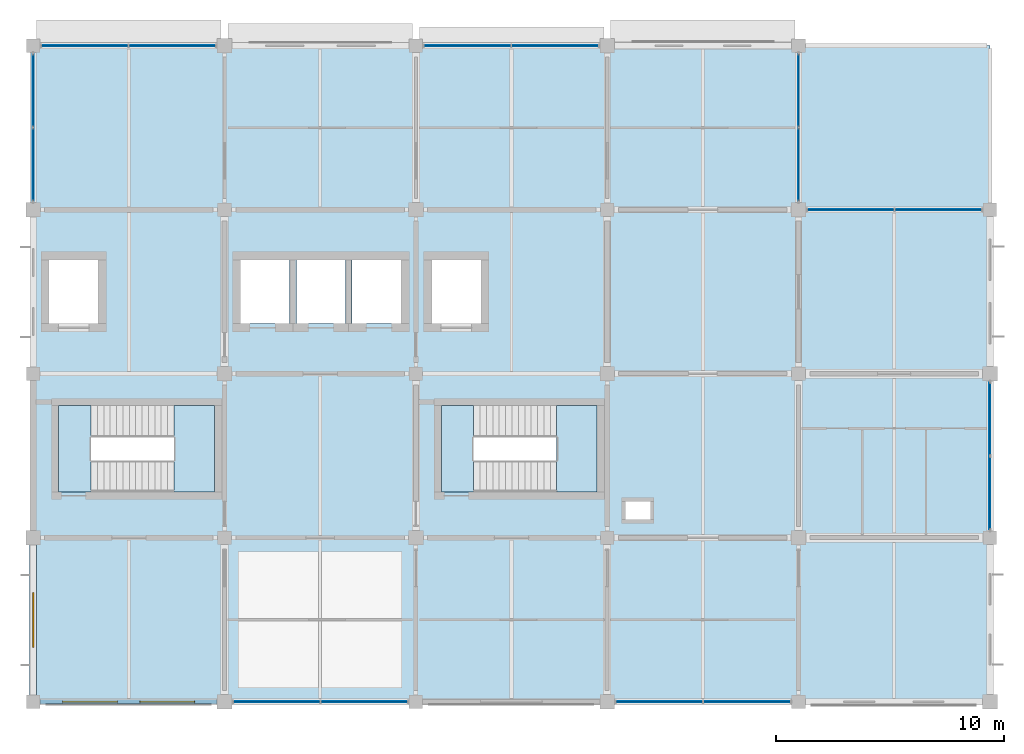
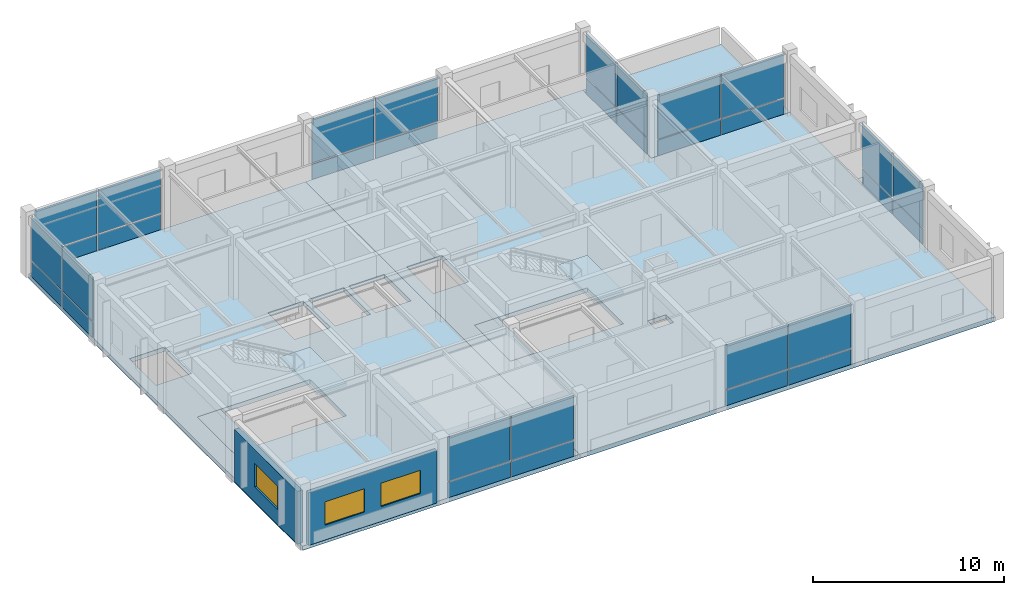
# One storey, part 7 of 13: 32 plates, 7 slabs, 3 windows, 2 walls, 3 openings, 10 elements without a shape of their own.
"""IFC4 building model written with IfcOpenShell, lengths in metres."""

from ifc_helpers import new_model, si_unit, derived_unit, direction, frame, frame_2d, origin, origin_2d, place, context, subcontext, project, spatial, polyline, rectangle, outline, extrude, material, layer, layer_set, type_object, element, fill, aggregate, save


model = new_model("IFC4")

# Units and contexts
model_context = context("Model", 3, precision=1e-05, world=origin(), true_north=direction((0.0, 1.0)))
body_context = subcontext(model_context, "Body", "Model", "MODEL_VIEW")
ifc_project = project(units=[si_unit("LENGTHUNIT", "METRE"), si_unit("AREAUNIT", "SQUARE_METRE"), si_unit("VOLUMEUNIT", "CUBIC_METRE"), si_unit("PLANEANGLEUNIT", "RADIAN"), si_unit("MASSUNIT", "GRAM", prefix="KILO"), derived_unit("THERMALTRANSMITTANCEUNIT", [(si_unit("MASSUNIT", "GRAM", prefix="KILO"), 1), (si_unit("TIMEUNIT", "SECOND"), -3), (si_unit("THERMODYNAMICTEMPERATUREUNIT", "KELVIN"), -1)])], contexts=[model_context])

# Site, building, storey
site_placement = place(None, origin())
site = spatial("IfcSite", under=ifc_project, at=site_placement, CompositionType="ELEMENT")
building_placement = place(site_placement, origin())
building = spatial("IfcBuilding", under=site, at=building_placement, Name="Veldstrom Oceanarium and Marine Research Institute", CompositionType="ELEMENT")
storey_placement = place(building_placement, frame((0.0, 0.0, 52.199951171875)))
storey = spatial("IfcBuildingStorey", under=building, at=storey_placement, Name="L11", CompositionType="ELEMENT", Elevation=52.199951171875)

# Curtain wall, plates
ifc_material_1 = material(Name="Anodised Aluminium Framing", Category="aluminium")
curtain_wall_type_1 = type_object("IfcCurtainWallType", Name="ARC-CW-CW04", PredefinedType="USERDEFINED", material=ifc_material_1)
curtain_wall_1_placement = place(storey_placement, origin())
curtain_wall_1 = element("IfcCurtainWall", 1, at=curtain_wall_1_placement, inside=storey, type_object=curtain_wall_type_1, Name="Curtain Wall CW04 CW-L11-151", ObjectType="Curtain wall", PredefinedType="USERDEFINED")
ifc_material_2 = material(Name="Double Glazed Low-E IGU", Category="glass")
ifc_layer_1 = layer(ifc_material_2, 0.035888671875)
ifc_layer_set_1 = layer_set([ifc_layer_1], Name="ARC-PLT-CP03")
plate_type_1 = type_object("IfcPlateType", Name="ARC-PLT-CP03", PredefinedType="CURTAIN_PANEL", material=ifc_layer_set_1)
plate_1_placement = place(storey_placement, frame((77.86376953125, 72.0, 1.090087890625), z_axis=(0.0, 0.0, 1.0), x_axis=(1.0, 0.0, 0.0)))
plate_1 = element("IfcPlate", 2, at=plate_1_placement, type_object=plate_type_1, Name="Curtain Vision Panel CW-L11-151-PNL-V1", PredefinedType="CURTAIN_PANEL", context=body_context, shape_type="SweptSolid", body=[
    extrude(rectangle(XDim=3.767578125, YDim=0.035888671875, at=origin_2d()), origin(), (0.0, 0.0, 1.0), 2.81005859375),
])
plate_2_placement = place(storey_placement, frame((81.711181640625, 72.0, 1.090087890625), z_axis=(0.0, 0.0, 1.0), x_axis=(1.0, 0.0, 0.0)))
plate_2 = element("IfcPlate", 3, at=plate_2_placement, type_object=plate_type_1, Name="Curtain Vision Panel CW-L11-151-PNL-V2", PredefinedType="CURTAIN_PANEL", context=body_context, shape_type="SweptSolid", body=[
    extrude(rectangle(XDim=3.767578125, YDim=0.035888671875, at=origin_2d()), origin(), (0.0, 0.0, 1.0), 2.81005859375),
])

curtain_wall_2_placement = place(storey_placement, origin())
curtain_wall_2 = element("IfcCurtainWall", 4, at=curtain_wall_2_placement, inside=storey, type_object=curtain_wall_type_1, Name="Curtain Wall CW04 CW-L11-153", ObjectType="Curtain wall", PredefinedType="USERDEFINED")
plate_3_placement = place(storey_placement, frame((86.288818359375, 43.199951171875, 1.090087890625), z_axis=(0.0, 0.0, 1.0), x_axis=(1.0, 0.0, 0.0)))
plate_3 = element("IfcPlate", 5, at=plate_3_placement, type_object=plate_type_1, Name="Curtain Vision Panel CW-L11-153-PNL-V1", PredefinedType="CURTAIN_PANEL", context=body_context, shape_type="SweptSolid", body=[
    extrude(rectangle(XDim=3.767578125, YDim=0.035888671875, at=origin_2d()), origin(), (0.0, 0.0, 1.0), 2.81005859375),
])
plate_4_placement = place(storey_placement, frame((90.13623046875, 43.199951171875, 1.090087890625), z_axis=(0.0, 0.0, 1.0), x_axis=(1.0, 0.0, 0.0)))
plate_4 = element("IfcPlate", 6, at=plate_4_placement, type_object=plate_type_1, Name="Curtain Vision Panel CW-L11-153-PNL-V2", PredefinedType="CURTAIN_PANEL", context=body_context, shape_type="SweptSolid", body=[
    extrude(rectangle(XDim=3.767578125, YDim=0.035888671875, at=origin_2d()), origin(), (0.0, 0.0, 1.0), 2.81005859375),
])

curtain_wall_3_placement = place(storey_placement, origin())
curtain_wall_3 = element("IfcCurtainWall", 7, at=curtain_wall_3_placement, inside=storey, type_object=curtain_wall_type_1, Name="Curtain Wall CW04 CW-L11-154", ObjectType="Curtain wall", PredefinedType="USERDEFINED")
plate_5_placement = place(storey_placement, frame((94.663818359375, 72.0, 1.090087890625), z_axis=(0.0, 0.0, 1.0), x_axis=(1.0, 0.0, 0.0)))
plate_5 = element("IfcPlate", 8, at=plate_5_placement, type_object=plate_type_1, Name="Curtain Vision Panel CW-L11-154-PNL-V1", PredefinedType="CURTAIN_PANEL", context=body_context, shape_type="SweptSolid", body=[
    extrude(rectangle(XDim=3.767578125, YDim=0.035888671875, at=origin_2d()), origin(), (0.0, 0.0, 1.0), 2.81005859375),
])
plate_6_placement = place(storey_placement, frame((98.51123046875, 72.0, 1.090087890625), z_axis=(0.0, 0.0, 1.0), x_axis=(1.0, 0.0, 0.0)))
plate_6 = element("IfcPlate", 9, at=plate_6_placement, type_object=plate_type_1, Name="Curtain Vision Panel CW-L11-154-PNL-V2", PredefinedType="CURTAIN_PANEL", context=body_context, shape_type="SweptSolid", body=[
    extrude(rectangle(XDim=3.767578125, YDim=0.035888671875, at=origin_2d()), origin(), (0.0, 0.0, 1.0), 2.81005859375),
])

curtain_wall_4_placement = place(storey_placement, origin())
curtain_wall_4 = element("IfcCurtainWall", 10, at=curtain_wall_4_placement, inside=storey, type_object=curtain_wall_type_1, Name="Curtain Wall CW04 CW-L11-155", ObjectType="Curtain wall", PredefinedType="USERDEFINED")
plate_7_placement = place(storey_placement, frame((103.0888671875, 43.199951171875, 1.090087890625), z_axis=(0.0, 0.0, 1.0), x_axis=(1.0, 0.0, 0.0)))
plate_7 = element("IfcPlate", 11, at=plate_7_placement, type_object=plate_type_1, Name="Curtain Vision Panel CW-L11-155-PNL-V1", PredefinedType="CURTAIN_PANEL", context=body_context, shape_type="SweptSolid", body=[
    extrude(rectangle(XDim=3.767578125, YDim=0.035888671875, at=origin_2d()), origin(), (0.0, 0.0, 1.0), 2.81005859375),
])
plate_8_placement = place(storey_placement, frame((106.936279296875, 43.199951171875, 1.090087890625), z_axis=(0.0, 0.0, 1.0), x_axis=(1.0, 0.0, 0.0)))
plate_8 = element("IfcPlate", 12, at=plate_8_placement, type_object=plate_type_1, Name="Curtain Vision Panel CW-L11-155-PNL-V2", PredefinedType="CURTAIN_PANEL", context=body_context, shape_type="SweptSolid", body=[
    extrude(rectangle(XDim=3.767578125, YDim=0.035888671875, at=origin_2d()), origin(), (0.0, 0.0, 1.0), 2.81005859375),
])

curtain_wall_5_placement = place(storey_placement, origin())
curtain_wall_5 = element("IfcCurtainWall", 13, at=curtain_wall_5_placement, inside=storey, type_object=curtain_wall_type_1, Name="Curtain Wall CW04 CW-L11-158", ObjectType="Curtain wall", PredefinedType="USERDEFINED")
plate_9_placement = place(storey_placement, frame((111.48876953125, 64.800048828125, 1.090087890625), z_axis=(0.0, 0.0, 1.0), x_axis=(1.0, 0.0, 0.0)))
plate_9 = element("IfcPlate", 14, at=plate_9_placement, type_object=plate_type_1, Name="Curtain Vision Panel CW-L11-158-PNL-V1", PredefinedType="CURTAIN_PANEL", context=body_context, shape_type="SweptSolid", body=[
    extrude(rectangle(XDim=3.767578125, YDim=0.035888671875, at=origin_2d()), origin(), (0.0, 0.0, 1.0), 2.81005859375),
])
plate_10_placement = place(storey_placement, frame((115.336181640625, 64.800048828125, 1.090087890625), z_axis=(0.0, 0.0, 1.0), x_axis=(1.0, 0.0, 0.0)))
plate_10 = element("IfcPlate", 15, at=plate_10_placement, type_object=plate_type_1, Name="Curtain Vision Panel CW-L11-158-PNL-V2", PredefinedType="CURTAIN_PANEL", context=body_context, shape_type="SweptSolid", body=[
    extrude(rectangle(XDim=3.767578125, YDim=0.035888671875, at=origin_2d()), origin(), (0.0, 0.0, 1.0), 2.81005859375),
])

# Plate
ifc_material_3 = material(Name="Insulated Aluminium Spandrel", Category="aluminium")
ifc_layer_2 = layer(ifc_material_3, 0.044921875)
ifc_layer_set_2 = layer_set([ifc_layer_2], Name="ARC-PLT-CP04")
plate_type_2 = type_object("IfcPlateType", Name="ARC-PLT-CP04", PredefinedType="CURTAIN_PANEL", material=ifc_layer_set_2)
plate_11_placement = place(storey_placement, frame((77.86376953125, 72.0, 0.02001953125), z_axis=(0.0, 0.0, 1.0), x_axis=(1.0, 0.0, 0.0)))
plate_11 = element("IfcPlate", 16, at=plate_11_placement, type_object=plate_type_2, Name="Curtain Spandrel Panel CW-L11-151-PNL-S1", PredefinedType="CURTAIN_PANEL", context=body_context, shape_type="SweptSolid", body=[
    extrude(rectangle(XDim=3.767578125, YDim=0.044921875, at=origin_2d()), origin(), (0.0, 0.0, 1.0), 0.989990234375),
])

plate_12_placement = place(storey_placement, frame((81.711181640625, 72.0, 0.02001953125), z_axis=(0.0, 0.0, 1.0), x_axis=(1.0, 0.0, 0.0)))
plate_12 = element("IfcPlate", 17, at=plate_12_placement, type_object=plate_type_2, Name="Curtain Spandrel Panel CW-L11-151-PNL-S2", PredefinedType="CURTAIN_PANEL", context=body_context, shape_type="SweptSolid", body=[
    extrude(rectangle(XDim=3.767578125, YDim=0.044921875, at=origin_2d()), origin(), (0.0, 0.0, 1.0), 0.989990234375),
])

aggregate(curtain_wall_1, [plate_11, plate_1, plate_12, plate_2])

plate_13_placement = place(storey_placement, frame((86.288818359375, 43.199951171875, 0.02001953125), z_axis=(0.0, 0.0, 1.0), x_axis=(1.0, 0.0, 0.0)))
plate_13 = element("IfcPlate", 18, at=plate_13_placement, type_object=plate_type_2, Name="Curtain Spandrel Panel CW-L11-153-PNL-S1", PredefinedType="CURTAIN_PANEL", context=body_context, shape_type="SweptSolid", body=[
    extrude(rectangle(XDim=3.767578125, YDim=0.044921875, at=origin_2d()), origin(), (0.0, 0.0, 1.0), 0.989990234375),
])

plate_14_placement = place(storey_placement, frame((90.13623046875, 43.199951171875, 0.02001953125), z_axis=(0.0, 0.0, 1.0), x_axis=(1.0, 0.0, 0.0)))
plate_14 = element("IfcPlate", 19, at=plate_14_placement, type_object=plate_type_2, Name="Curtain Spandrel Panel CW-L11-153-PNL-S2", PredefinedType="CURTAIN_PANEL", context=body_context, shape_type="SweptSolid", body=[
    extrude(rectangle(XDim=3.767578125, YDim=0.044921875, at=origin_2d()), origin(), (0.0, 0.0, 1.0), 0.989990234375),
])

aggregate(curtain_wall_2, [plate_13, plate_3, plate_14, plate_4])

plate_15_placement = place(storey_placement, frame((94.663818359375, 72.0, 0.02001953125), z_axis=(0.0, 0.0, 1.0), x_axis=(1.0, 0.0, 0.0)))
plate_15 = element("IfcPlate", 20, at=plate_15_placement, type_object=plate_type_2, Name="Curtain Spandrel Panel CW-L11-154-PNL-S1", PredefinedType="CURTAIN_PANEL", context=body_context, shape_type="SweptSolid", body=[
    extrude(rectangle(XDim=3.767578125, YDim=0.044921875, at=origin_2d()), origin(), (0.0, 0.0, 1.0), 0.989990234375),
])

plate_16_placement = place(storey_placement, frame((98.51123046875, 72.0, 0.02001953125), z_axis=(0.0, 0.0, 1.0), x_axis=(1.0, 0.0, 0.0)))
plate_16 = element("IfcPlate", 21, at=plate_16_placement, type_object=plate_type_2, Name="Curtain Spandrel Panel CW-L11-154-PNL-S2", PredefinedType="CURTAIN_PANEL", context=body_context, shape_type="SweptSolid", body=[
    extrude(rectangle(XDim=3.767578125, YDim=0.044921875, at=origin_2d()), origin(), (0.0, 0.0, 1.0), 0.989990234375),
])

aggregate(curtain_wall_3, [plate_15, plate_5, plate_16, plate_6])

plate_17_placement = place(storey_placement, frame((103.0888671875, 43.199951171875, 0.02001953125), z_axis=(0.0, 0.0, 1.0), x_axis=(1.0, 0.0, 0.0)))
plate_17 = element("IfcPlate", 22, at=plate_17_placement, type_object=plate_type_2, Name="Curtain Spandrel Panel CW-L11-155-PNL-S1", PredefinedType="CURTAIN_PANEL", context=body_context, shape_type="SweptSolid", body=[
    extrude(rectangle(XDim=3.767578125, YDim=0.044921875, at=origin_2d()), origin(), (0.0, 0.0, 1.0), 0.989990234375),
])

plate_18_placement = place(storey_placement, frame((106.936279296875, 43.199951171875, 0.02001953125), z_axis=(0.0, 0.0, 1.0), x_axis=(1.0, 0.0, 0.0)))
plate_18 = element("IfcPlate", 23, at=plate_18_placement, type_object=plate_type_2, Name="Curtain Spandrel Panel CW-L11-155-PNL-S2", PredefinedType="CURTAIN_PANEL", context=body_context, shape_type="SweptSolid", body=[
    extrude(rectangle(XDim=3.767578125, YDim=0.044921875, at=origin_2d()), origin(), (0.0, 0.0, 1.0), 0.989990234375),
])

aggregate(curtain_wall_4, [plate_17, plate_7, plate_18, plate_8])

plate_19_placement = place(storey_placement, frame((111.48876953125, 64.800048828125, 0.02001953125), z_axis=(0.0, 0.0, 1.0), x_axis=(1.0, 0.0, 0.0)))
plate_19 = element("IfcPlate", 24, at=plate_19_placement, type_object=plate_type_2, Name="Curtain Spandrel Panel CW-L11-158-PNL-S1", PredefinedType="CURTAIN_PANEL", context=body_context, shape_type="SweptSolid", body=[
    extrude(rectangle(XDim=3.767578125, YDim=0.044921875, at=origin_2d()), origin(), (0.0, 0.0, 1.0), 0.989990234375),
])

plate_20_placement = place(storey_placement, frame((115.336181640625, 64.800048828125, 0.02001953125), z_axis=(0.0, 0.0, 1.0), x_axis=(1.0, 0.0, 0.0)))
plate_20 = element("IfcPlate", 25, at=plate_20_placement, type_object=plate_type_2, Name="Curtain Spandrel Panel CW-L11-158-PNL-S2", PredefinedType="CURTAIN_PANEL", context=body_context, shape_type="SweptSolid", body=[
    extrude(rectangle(XDim=3.767578125, YDim=0.044921875, at=origin_2d()), origin(), (0.0, 0.0, 1.0), 0.989990234375),
])

aggregate(curtain_wall_5, [plate_19, plate_9, plate_20, plate_10])

# Curtain wall, plates
ifc_material_4 = material(Name="Anodised Aluminium Framing", Category="aluminium")
curtain_wall_type_2 = type_object("IfcCurtainWallType", Name="ARC-CW-CW08", PredefinedType="USERDEFINED", material=ifc_material_4)
curtain_wall_6_placement = place(storey_placement, origin())
curtain_wall_6 = element("IfcCurtainWall", 26, at=curtain_wall_6_placement, inside=storey, type_object=curtain_wall_type_2, Name="Curtain Wall CW08 CW-L11-152", ObjectType="Curtain wall", PredefinedType="USERDEFINED")
ifc_material_5 = material(Name="Double Glazed Low-E IGU", Category="glass")
ifc_layer_3 = layer(ifc_material_5, 0.035888671875)
ifc_layer_set_3 = layer_set([ifc_layer_3], Name="ARC-PLT-CP07")
plate_type_3 = type_object("IfcPlateType", Name="ARC-PLT-CP07", PredefinedType="CURTAIN_PANEL", material=ifc_layer_set_3)
plate_21_placement = place(storey_placement, frame((75.60009765625, 66.788818359375, 1.090087890625), z_axis=(0.0, 0.0, 1.0), x_axis=(0.0, 1.0, 0.0)))
plate_21 = element("IfcPlate", 27, at=plate_21_placement, type_object=plate_type_3, Name="Curtain Vision Panel CW-L11-152-PNL-V1", PredefinedType="CURTAIN_PANEL", context=body_context, shape_type="SweptSolid", body=[
    extrude(rectangle(XDim=3.16748046875, YDim=0.035888671875, at=origin_2d()), origin(), (0.0, 0.0, 1.0), 2.81005859375),
])
plate_22_placement = place(storey_placement, frame((75.60009765625, 70.0361328125, 1.090087890625), z_axis=(0.0, 0.0, 1.0), x_axis=(0.0, 1.0, 0.0)))
plate_22 = element("IfcPlate", 28, at=plate_22_placement, type_object=plate_type_3, Name="Curtain Vision Panel CW-L11-152-PNL-V2", PredefinedType="CURTAIN_PANEL", context=body_context, shape_type="SweptSolid", body=[
    extrude(rectangle(XDim=3.16748046875, YDim=0.035888671875, at=origin_2d()), origin(), (0.0, 0.0, 1.0), 2.81005859375),
])

curtain_wall_7_placement = place(storey_placement, origin())
curtain_wall_7 = element("IfcCurtainWall", 29, at=curtain_wall_7_placement, inside=storey, type_object=curtain_wall_type_2, Name="Curtain Wall CW08 CW-L11-156", ObjectType="Curtain wall", PredefinedType="USERDEFINED")
plate_23_placement = place(storey_placement, frame((109.199951171875, 66.788818359375, 1.090087890625), z_axis=(0.0, 0.0, 1.0), x_axis=(0.0, 1.0, 0.0)))
plate_23 = element("IfcPlate", 30, at=plate_23_placement, type_object=plate_type_3, Name="Curtain Vision Panel CW-L11-156-PNL-V1", PredefinedType="CURTAIN_PANEL", context=body_context, shape_type="SweptSolid", body=[
    extrude(rectangle(XDim=3.16748046875, YDim=0.035888671875, at=origin_2d()), origin(), (0.0, 0.0, 1.0), 2.81005859375),
])
plate_24_placement = place(storey_placement, frame((109.199951171875, 70.0361328125, 1.090087890625), z_axis=(0.0, 0.0, 1.0), x_axis=(0.0, 1.0, 0.0)))
plate_24 = element("IfcPlate", 31, at=plate_24_placement, type_object=plate_type_3, Name="Curtain Vision Panel CW-L11-156-PNL-V2", PredefinedType="CURTAIN_PANEL", context=body_context, shape_type="SweptSolid", body=[
    extrude(rectangle(XDim=3.16748046875, YDim=0.035888671875, at=origin_2d()), origin(), (0.0, 0.0, 1.0), 2.81005859375),
])

curtain_wall_8_placement = place(storey_placement, origin())
curtain_wall_8 = element("IfcCurtainWall", 32, at=curtain_wall_8_placement, inside=storey, type_object=curtain_wall_type_2, Name="Curtain Wall CW08 CW-L11-157", ObjectType="Curtain wall", PredefinedType="USERDEFINED")
plate_25_placement = place(storey_placement, frame((117.60009765625, 52.36376953125, 1.090087890625), z_axis=(0.0, 0.0, 1.0), x_axis=(0.0, 1.0, 0.0)))
plate_25 = element("IfcPlate", 33, at=plate_25_placement, type_object=plate_type_3, Name="Curtain Vision Panel CW-L11-157-PNL-V1", PredefinedType="CURTAIN_PANEL", context=body_context, shape_type="SweptSolid", body=[
    extrude(rectangle(XDim=3.16748046875, YDim=0.035888671875, at=origin_2d()), origin(), (0.0, 0.0, 1.0), 2.81005859375),
])
plate_26_placement = place(storey_placement, frame((117.60009765625, 55.611328125, 1.090087890625), z_axis=(0.0, 0.0, 1.0), x_axis=(0.0, 1.0, 0.0)))
plate_26 = element("IfcPlate", 34, at=plate_26_placement, type_object=plate_type_3, Name="Curtain Vision Panel CW-L11-157-PNL-V2", PredefinedType="CURTAIN_PANEL", context=body_context, shape_type="SweptSolid", body=[
    extrude(rectangle(XDim=3.16748046875, YDim=0.035888671875, at=origin_2d()), origin(), (0.0, 0.0, 1.0), 2.81005859375),
])

# Plate
ifc_material_6 = material(Name="Insulated Aluminium Spandrel", Category="aluminium")
ifc_layer_4 = layer(ifc_material_6, 0.044921875)
ifc_layer_set_4 = layer_set([ifc_layer_4], Name="ARC-PLT-CP08")
plate_type_4 = type_object("IfcPlateType", Name="ARC-PLT-CP08", PredefinedType="CURTAIN_PANEL", material=ifc_layer_set_4)
plate_27_placement = place(storey_placement, frame((75.60009765625, 66.788818359375, 0.02001953125), z_axis=(0.0, 0.0, 1.0), x_axis=(0.0, 1.0, 0.0)))
plate_27 = element("IfcPlate", 35, at=plate_27_placement, type_object=plate_type_4, Name="Curtain Spandrel Panel CW-L11-152-PNL-S1", PredefinedType="CURTAIN_PANEL", context=body_context, shape_type="SweptSolid", body=[
    extrude(rectangle(XDim=3.16748046875, YDim=0.044921875, at=origin_2d()), origin(), (0.0, 0.0, 1.0), 0.989990234375),
])

plate_28_placement = place(storey_placement, frame((75.60009765625, 70.0361328125, 0.02001953125), z_axis=(0.0, 0.0, 1.0), x_axis=(0.0, 1.0, 0.0)))
plate_28 = element("IfcPlate", 36, at=plate_28_placement, type_object=plate_type_4, Name="Curtain Spandrel Panel CW-L11-152-PNL-S2", PredefinedType="CURTAIN_PANEL", context=body_context, shape_type="SweptSolid", body=[
    extrude(rectangle(XDim=3.16748046875, YDim=0.044921875, at=origin_2d()), origin(), (0.0, 0.0, 1.0), 0.989990234375),
])

aggregate(curtain_wall_6, [plate_27, plate_21, plate_28, plate_22])

plate_29_placement = place(storey_placement, frame((109.199951171875, 66.788818359375, 0.02001953125), z_axis=(0.0, 0.0, 1.0), x_axis=(0.0, 1.0, 0.0)))
plate_29 = element("IfcPlate", 37, at=plate_29_placement, type_object=plate_type_4, Name="Curtain Spandrel Panel CW-L11-156-PNL-S1", PredefinedType="CURTAIN_PANEL", context=body_context, shape_type="SweptSolid", body=[
    extrude(rectangle(XDim=3.16748046875, YDim=0.044921875, at=origin_2d()), origin(), (0.0, 0.0, 1.0), 0.989990234375),
])

plate_30_placement = place(storey_placement, frame((109.199951171875, 70.0361328125, 0.02001953125), z_axis=(0.0, 0.0, 1.0), x_axis=(0.0, 1.0, 0.0)))
plate_30 = element("IfcPlate", 38, at=plate_30_placement, type_object=plate_type_4, Name="Curtain Spandrel Panel CW-L11-156-PNL-S2", PredefinedType="CURTAIN_PANEL", context=body_context, shape_type="SweptSolid", body=[
    extrude(rectangle(XDim=3.16748046875, YDim=0.044921875, at=origin_2d()), origin(), (0.0, 0.0, 1.0), 0.989990234375),
])

aggregate(curtain_wall_7, [plate_29, plate_23, plate_30, plate_24])

plate_31_placement = place(storey_placement, frame((117.60009765625, 52.36376953125, 0.02001953125), z_axis=(0.0, 0.0, 1.0), x_axis=(0.0, 1.0, 0.0)))
plate_31 = element("IfcPlate", 39, at=plate_31_placement, type_object=plate_type_4, Name="Curtain Spandrel Panel CW-L11-157-PNL-S1", PredefinedType="CURTAIN_PANEL", context=body_context, shape_type="SweptSolid", body=[
    extrude(rectangle(XDim=3.16748046875, YDim=0.044921875, at=origin_2d()), origin(), (0.0, 0.0, 1.0), 0.989990234375),
])

plate_32_placement = place(storey_placement, frame((117.60009765625, 55.611328125, 0.02001953125), z_axis=(0.0, 0.0, 1.0), x_axis=(0.0, 1.0, 0.0)))
plate_32 = element("IfcPlate", 40, at=plate_32_placement, type_object=plate_type_4, Name="Curtain Spandrel Panel CW-L11-157-PNL-S2", PredefinedType="CURTAIN_PANEL", context=body_context, shape_type="SweptSolid", body=[
    extrude(rectangle(XDim=3.16748046875, YDim=0.044921875, at=origin_2d()), origin(), (0.0, 0.0, 1.0), 0.989990234375),
])

aggregate(curtain_wall_8, [plate_31, plate_25, plate_32, plate_26])

# Slabs
ifc_material_7 = material(Name="Concrete C40/50", Category="concrete")
ifc_layer_5 = layer(ifc_material_7, 0.280029296875)
ifc_layer_set_5 = layer_set([ifc_layer_5], Name="STR-SLB-FL0280")
slab_type_1 = type_object("IfcSlabType", Name="STR-SLB-FL0280", PredefinedType="FLOOR", material=ifc_layer_set_5)
slab_1_placement = place(storey_placement, frame((0.0, 0.0, -0.280029296875)))
element("IfcSlab", 41, at=slab_1_placement, inside=storey, type_object=slab_type_1, Name="Slab SF-280 L11 CW", PredefinedType="FLOOR", context=body_context, shape_type="SweptSolid", body=[
    extrude(outline(polyline([(92.39990234375, 50.39990234375), (92.39990234375, 43.199951171875), (84.0, 43.199951171875), (75.60009765625, 43.199951171875), (75.60009765625, 50.39990234375), (75.60009765625, 57.60009765625), (75.60009765625, 64.800048828125), (75.60009765625, 72.0), (84.0, 72.0), (92.39990234375, 72.0), (92.39990234375, 64.800048828125), (92.39990234375, 57.60009765625), (92.39990234375, 50.39990234375)]), holes=[polyline([(76.719970703125, 52.39990234375), (83.56005859375, 52.39990234375), (83.56005859375, 56.199951171875), (76.719970703125, 56.199951171875), (76.719970703125, 52.39990234375)]), polyline([(78.449951171875, 62.60009765625), (76.300048828125, 62.60009765625), (76.300048828125, 59.800048828125), (78.449951171875, 59.800048828125), (78.449951171875, 62.60009765625)]), polyline([(84.699951171875, 59.800048828125), (86.85009765625, 59.800048828125), (86.85009765625, 62.60009765625), (84.699951171875, 62.60009765625), (84.699951171875, 59.800048828125)]), polyline([(87.14990234375, 62.60009765625), (87.14990234375, 59.800048828125), (89.300048828125, 59.800048828125), (89.300048828125, 62.60009765625), (87.14990234375, 62.60009765625)]), polyline([(91.75, 62.60009765625), (89.60009765625, 62.60009765625), (89.60009765625, 59.800048828125), (91.75, 59.800048828125), (91.75, 62.60009765625)])]), origin(), (0.0, 0.0, 1.0), 0.280029296875),
])
slab_2_placement = place(storey_placement, frame((0.0, 0.0, -0.280029296875)))
element("IfcSlab", 42, at=slab_2_placement, inside=storey, type_object=slab_type_1, Name="Slab SF-280 L11 CE", PredefinedType="FLOOR", context=body_context, shape_type="SweptSolid", body=[
    extrude(outline(polyline([(117.60009765625, 57.60009765625), (117.60009765625, 50.39990234375), (117.60009765625, 43.199951171875), (109.199951171875, 43.199951171875), (100.800048828125, 43.199951171875), (92.39990234375, 43.199951171875), (92.39990234375, 50.39990234375), (92.39990234375, 57.60009765625), (92.39990234375, 64.800048828125), (92.39990234375, 72.0), (100.800048828125, 72.0), (109.199951171875, 72.0), (109.199951171875, 64.800048828125), (117.60009765625, 64.800048828125), (117.60009765625, 57.60009765625)]), holes=[polyline([(93.52001953125, 52.39990234375), (100.360107421875, 52.39990234375), (100.360107421875, 56.199951171875), (93.52001953125, 56.199951171875), (93.52001953125, 52.39990234375)]), polyline([(95.25, 62.60009765625), (93.10009765625, 62.60009765625), (93.10009765625, 59.800048828125), (95.25, 59.800048828125), (95.25, 62.60009765625)]), polyline([(102.699951171875, 52.0), (101.60009765625, 52.0), (101.60009765625, 51.199951171875), (102.699951171875, 51.199951171875), (102.699951171875, 52.0)])]), origin(), (0.0, 0.0, 1.0), 0.280029296875),
])

# Stair, slab
ifc_material_8 = material(Name="Concrete C40/50", Category="concrete")
stair_type = type_object("IfcStairType", Name="ARC-STR-ST-420", PredefinedType="TWO_STRAIGHT_RUN_STAIR", material=ifc_material_8)
stair_1_placement = place(storey_placement, origin())
stair_1 = element("IfcStair", 43, at=stair_1_placement, inside=storey, type_object=stair_type, Name="Dog-Leg Escape Stair ST1-L11", PredefinedType="TWO_STRAIGHT_RUN_STAIR")
ifc_material_9 = material(Name="Concrete C40/50", Category="concrete")
ifc_layer_6 = layer(ifc_material_9, 0.179931640625)
ifc_layer_set_6 = layer_set([ifc_layer_6], Name="STR-SLB-LD180")
slab_type_2 = type_object("IfcSlabType", Name="STR-SLB-LD180", PredefinedType="LANDING", material=ifc_layer_set_6)
slab_3_placement = place(storey_placement, frame((0.0, 0.0, 1.920166015625)))
slab_3 = element("IfcSlab", 44, at=slab_3_placement, type_object=slab_type_2, Name="Stair Half-Landing ST1 L11", PredefinedType="LANDING", context=body_context, shape_type="SweptSolid", body=[
    extrude(outline(polyline([(81.780029296875, 52.39990234375), (83.56005859375, 52.39990234375), (83.56005859375, 56.199951171875), (81.780029296875, 56.199951171875), (81.780029296875, 52.39990234375)])), origin(), (0.0, 0.0, 1.0), 0.179931640625),
])
aggregate(stair_1, [slab_3])

stair_2_placement = place(storey_placement, origin())
stair_2 = element("IfcStair", 45, at=stair_2_placement, inside=storey, type_object=stair_type, Name="Dog-Leg Escape Stair ST2-L11", PredefinedType="TWO_STRAIGHT_RUN_STAIR")
slab_4_placement = place(storey_placement, frame((0.0, 0.0, 1.920166015625)))
slab_4 = element("IfcSlab", 46, at=slab_4_placement, type_object=slab_type_2, Name="Stair Half-Landing ST2 L11", PredefinedType="LANDING", context=body_context, shape_type="SweptSolid", body=[
    extrude(outline(polyline([(98.580078125, 52.39990234375), (100.360107421875, 52.39990234375), (100.360107421875, 56.199951171875), (98.580078125, 56.199951171875), (98.580078125, 52.39990234375)])), origin(), (0.0, 0.0, 1.0), 0.179931640625),
])
aggregate(stair_2, [slab_4])

# Slabs
ifc_material_10 = material(Name="Concrete C40/50", Category="concrete")
ifc_layer_7 = layer(ifc_material_10, 0.199951171875)
ifc_layer_set_7 = layer_set([ifc_layer_7], Name="STR-SLB-LD200")
slab_type_3 = type_object("IfcSlabType", Name="STR-SLB-LD200", PredefinedType="LANDING", material=ifc_layer_set_7)
slab_5_placement = place(storey_placement, frame((0.0, 0.0, -0.199951171875)))
element("IfcSlab", 47, at=slab_5_placement, inside=storey, type_object=slab_type_3, Name="Stair Floor Landing ST1 L11", PredefinedType="LANDING", context=body_context, shape_type="SweptSolid", body=[
    extrude(outline(polyline([(76.719970703125, 52.39990234375), (78.139892578125, 52.39990234375), (78.139892578125, 56.199951171875), (76.719970703125, 56.199951171875), (76.719970703125, 52.39990234375)])), origin(), (0.0, 0.0, 1.0), 0.199951171875),
])
slab_6_placement = place(storey_placement, frame((0.0, 0.0, -0.199951171875)))
element("IfcSlab", 48, at=slab_6_placement, inside=storey, type_object=slab_type_3, Name="Stair Floor Landing ST2 L11", PredefinedType="LANDING", context=body_context, shape_type="SweptSolid", body=[
    extrude(outline(polyline([(93.52001953125, 52.39990234375), (94.93994140625, 52.39990234375), (94.93994140625, 56.199951171875), (93.52001953125, 56.199951171875), (93.52001953125, 52.39990234375)])), origin(), (0.0, 0.0, 1.0), 0.199951171875),
])
ifc_material_11 = material(Name="Concrete C40/50", Category="concrete")
ifc_layer_8 = layer(ifc_material_11, 0.199951171875)
ifc_layer_set_8 = layer_set([ifc_layer_8], Name="STR-SLB-RF0200")
slab_type_4 = type_object("IfcSlabType", Name="STR-SLB-RF0200", PredefinedType="ROOF", material=ifc_layer_set_8)
slab_7_placement = place(storey_placement, frame((0.0, 0.0, -0.199951171875)))
element("IfcSlab", 49, at=slab_7_placement, inside=storey, type_object=slab_type_4, Name="Maintenance Roof Slab L10", PredefinedType="ROOF", context=body_context, shape_type="SweptSolid", body=[
    extrude(outline(polyline([(117.60009765625, 64.800048828125), (117.60009765625, 72.0), (109.199951171875, 72.0), (109.199951171875, 64.800048828125), (117.60009765625, 64.800048828125)])), origin(), (0.0, 0.0, 1.0), 0.199951171875),
])

# Wall, opening, window
ifc_material_12 = material(Name="Masonry Cavity Wall", Category="masonry")
ifc_layer_9 = layer(ifc_material_12, 0.31005859375)
ifc_layer_set_9 = layer_set([ifc_layer_9], Name="ARC-WAL-EW1")
wall_type_1 = type_object("IfcWallType", Name="ARC-WAL-EW1", PredefinedType="SOLIDWALL", material=ifc_layer_set_9)
wall_1_placement = place(storey_placement, frame((75.60009765625, 43.5, 0.0), z_axis=(0.0, 0.0, 1.0), x_axis=(0.0, 1.0, 0.0)))
wall_1 = element("IfcWall", 50, at=wall_1_placement, inside=storey, type_object=wall_type_1, Name="Exterior Facade Wall EW1 L11-232", PredefinedType="SOLIDWALL", context=body_context, shape_type="SweptSolid", body=[
    extrude(rectangle(XDim=6.574951171875, YDim=0.31005859375, at=frame_2d((3.28759765625, 0.0))), origin(), (0.0, 0.0, 1.0), 3.364990234375),
])
opening_1_placement = place(wall_1_placement, frame((2.08740234375, 0.0, 0.949951171875)))
opening_1 = element("IfcOpeningElement", 51, at=opening_1_placement, cuts=wall_1, Name="Opening W13", PredefinedType="OPENING", context=body_context, shape_type="SweptSolid", body=[
    extrude(rectangle(XDim=2.39990234375, YDim=1.5, at=frame_2d((1.199951171875, 0.75))), frame((0.0, 0.1650390625, 0.0), z_axis=(0.0, -1.0, 0.0), x_axis=(1.0, 0.0, 0.0)), (0.0, 0.0, 1.0), 0.330078125),
])
ifc_material_13 = material(Name="Double Glazed Low-E IGU", Category="glass")
window_type = type_object("IfcWindowType", Name="ARC-WIN-W13", PartitioningType="SINGLE_PANEL", PredefinedType="WINDOW", material=ifc_material_13)
window_1_placement = place(opening_1_placement, origin())
window_1 = element("IfcWindow", 52, at=window_1_placement, inside=storey, type_object=window_type, Name="Facade Window W13 L11-0211", OverallHeight=1.5, OverallWidth=2.39990234375, PartitioningType="SINGLE_PANEL", PredefinedType="WINDOW", context=body_context, shape_type="SweptSolid", body=[
    extrude(rectangle(XDim=2.39990234375, YDim=1.5, at=frame_2d((1.199951171875, 0.75))), frame((0.0, 0.030029296875, 0.0), z_axis=(0.0, -1.0, 0.0), x_axis=(1.0, 0.0, 0.0)), (0.0, 0.0, 1.0), 0.06005859375),
])
fill(opening_1, window_1)

# Wall, openings, windows
ifc_material_14 = material(Name="Masonry Cavity Wall", Category="masonry")
ifc_layer_10 = layer(ifc_material_14, 0.215087890625)
ifc_layer_set_10 = layer_set([ifc_layer_10], Name="ARC-WAL-EW6")
wall_type_2 = type_object("IfcWallType", Name="ARC-WAL-EW6", PredefinedType="SOLIDWALL", material=ifc_layer_set_10)
wall_2_placement = place(storey_placement, frame((75.89990234375, 43.199951171875, 0.0), z_axis=(0.0, 0.0, 1.0), x_axis=(1.0, 0.0, 0.0)))
wall_2 = element("IfcWall", 53, at=wall_2_placement, inside=storey, type_object=wall_type_2, Name="Exterior Facade Wall EW6 L11-231", PredefinedType="SOLIDWALL", context=body_context, shape_type="SweptSolid", body=[
    extrude(rectangle(XDim=7.775146484375, YDim=0.215087890625, at=frame_2d((3.8876953125, 0.0))), origin(), (0.0, 0.0, 1.0), 3.364990234375),
])
opening_2_placement = place(wall_2_placement, frame((0.99169921875, 0.0, 0.949951171875)))
opening_2 = element("IfcOpeningElement", 54, at=opening_2_placement, cuts=wall_2, Name="Opening W13", PredefinedType="OPENING", context=body_context, shape_type="SweptSolid", body=[
    extrude(rectangle(XDim=2.39990234375, YDim=1.5, at=frame_2d((1.199951171875, 0.75))), frame((0.0, 0.117431640625, 0.0), z_axis=(0.0, -1.0, 0.0), x_axis=(1.0, 0.0, 0.0)), (0.0, 0.0, 1.0), 0.235107421875),
])
opening_3_placement = place(wall_2_placement, frame((4.38330078125, 0.0, 0.949951171875)))
opening_3 = element("IfcOpeningElement", 55, at=opening_3_placement, cuts=wall_2, Name="Opening W13", PredefinedType="OPENING", context=body_context, shape_type="SweptSolid", body=[
    extrude(rectangle(XDim=2.39990234375, YDim=1.5, at=frame_2d((1.199951171875, 0.75))), frame((0.0, 0.117431640625, 0.0), z_axis=(0.0, -1.0, 0.0), x_axis=(1.0, 0.0, 0.0)), (0.0, 0.0, 1.0), 0.235107421875),
])
window_2_placement = place(opening_2_placement, origin())
window_2 = element("IfcWindow", 56, at=window_2_placement, inside=storey, type_object=window_type, Name="Facade Window W13 L11-0209", OverallHeight=1.5, OverallWidth=2.39990234375, PartitioningType="SINGLE_PANEL", PredefinedType="WINDOW", context=body_context, shape_type="SweptSolid", body=[
    extrude(rectangle(XDim=2.39990234375, YDim=1.5, at=frame_2d((1.199951171875, 0.75))), frame((0.0, 0.030029296875, 0.0), z_axis=(0.0, -1.0, 0.0), x_axis=(1.0, 0.0, 0.0)), (0.0, 0.0, 1.0), 0.06005859375),
])
fill(opening_2, window_2)
window_3_placement = place(opening_3_placement, origin())
window_3 = element("IfcWindow", 57, at=window_3_placement, inside=storey, type_object=window_type, Name="Facade Window W13 L11-0210", OverallHeight=1.5, OverallWidth=2.39990234375, PartitioningType="SINGLE_PANEL", PredefinedType="WINDOW", context=body_context, shape_type="SweptSolid", body=[
    extrude(rectangle(XDim=2.39990234375, YDim=1.5, at=frame_2d((1.199951171875, 0.75))), frame((0.0, 0.030029296875, 0.0), z_axis=(0.0, -1.0, 0.0), x_axis=(1.0, 0.0, 0.0)), (0.0, 0.0, 1.0), 0.06005859375),
])
fill(opening_3, window_3)

save(model, "model.ifc")
